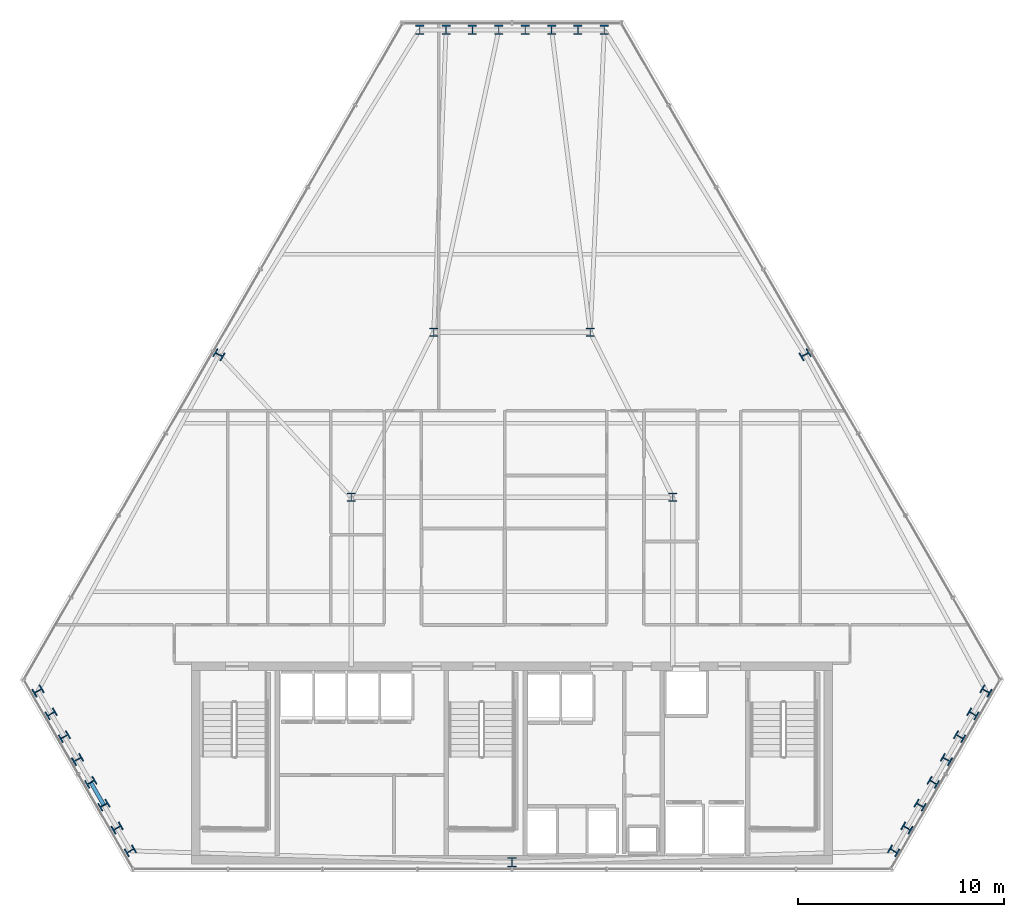
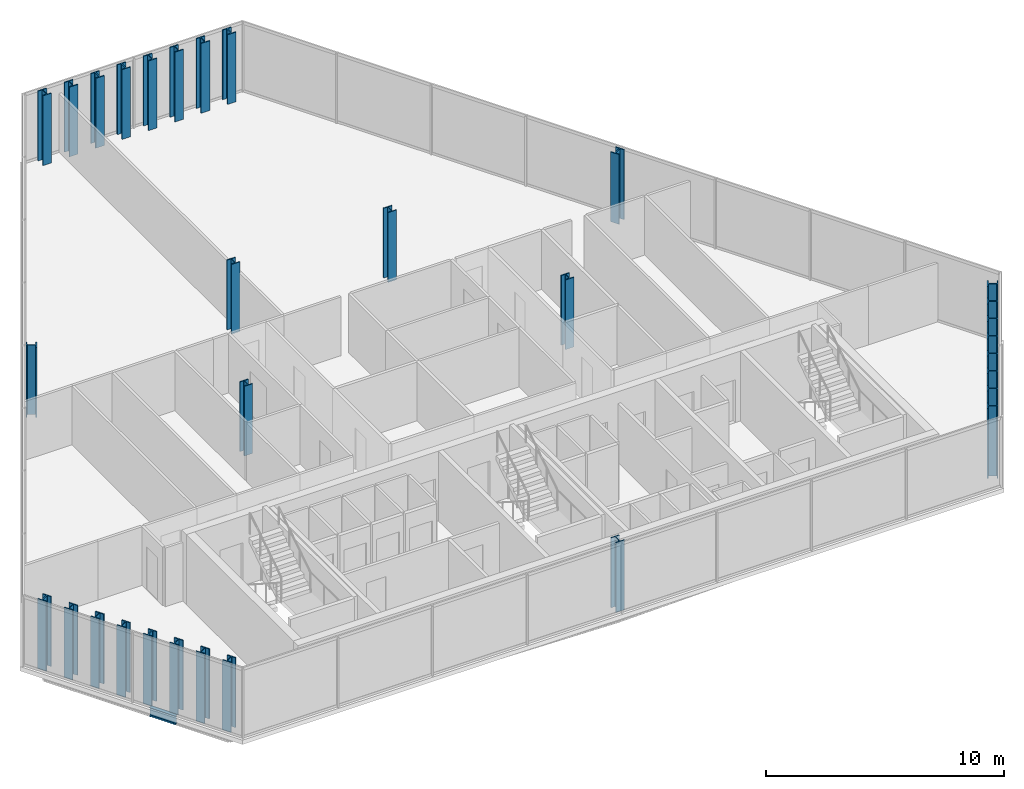
# One storey, part 1 of 33: 31 columns, 1 beam.
"""IFC4 building model written with IfcOpenShell, lengths in metres."""

from ifc_helpers import new_model, si_unit, direction, frame, origin, origin_2d, place, context, subcontext, project, spatial, i_section, extrude, material, material_profile, profile_set, type_object, element, save


model = new_model("IFC4")

# Units and contexts
model_context = context("Model", 3, precision=1e-05, world=origin(), true_north=direction((0.0, 1.0)))
body_context = subcontext(model_context, "Body", "Model", "MODEL_VIEW")
ifc_project = project(units=[si_unit("LENGTHUNIT", "METRE"), si_unit("AREAUNIT", "SQUARE_METRE"), si_unit("VOLUMEUNIT", "CUBIC_METRE"), si_unit("PLANEANGLEUNIT", "RADIAN"), si_unit("MASSUNIT", "GRAM", prefix="KILO")], contexts=[model_context])

# Site, building, storey
site_placement = place(None, origin())
site = spatial("IfcSite", under=ifc_project, at=site_placement, CompositionType="ELEMENT")
building_placement = place(site_placement, origin())
building = spatial("IfcBuilding", under=site, at=building_placement, Name="Ndaravel Arena Tower", CompositionType="ELEMENT")
storey_placement = place(building_placement, frame((0.0, 0.0, 165.0)))
storey = spatial("IfcBuildingStorey", under=building, at=storey_placement, Name="L39", CompositionType="ELEMENT", Elevation=165.0)

# Columns
ifc_material_1 = material(Name="Steel S355", Category="steel")
ifc_material_profile_1 = material_profile(ifc_material_1, i_section(OverallWidth=0.406982421875, OverallDepth=0.4189453125, WebThickness=0.030517578125, FlangeThickness=0.04931640625, FilletRadius=0.01513671875, at=origin_2d()), Name="UC 356x406x393")
ifc_profile_set_1 = profile_set([ifc_material_profile_1], Name="Steel S355")
column_type_1 = type_object("IfcColumnType", Name="COL-INT-UC393", PredefinedType="COLUMN", material=ifc_profile_set_1)
for number, where, z_axis, x_axis, name in (
    (1, (34.199951171875, 23.199951171875, 0.0), (0.0, 0.0, 1.0), (1.0, 0.0, 0.0), "L39 Interior Spine Column IC-01"),
    (2, (49.800048828125, 23.199951171875, 0.0), (0.0, 0.0, 1.0), (1.0, 0.0, 0.0), "L39 Interior Spine Column IC-02"),
    (3, (38.199951171875, 31.199951171875, 0.0), (0.0, 0.0, 1.0), (1.0, 0.0, 0.0), "L39 Interior Spine Column IC-03"),
    (4, (45.800048828125, 31.199951171875, 0.0), (0.0, 0.0, 1.0), (1.0, 0.0, 0.0), "L39 Interior Spine Column IC-04"),
):
    element("IfcColumn", number, at=place(storey_placement, frame(where, z_axis=z_axis, x_axis=x_axis)), inside=storey, type_object=column_type_1, Name=name, PredefinedType="COLUMN", context=body_context, shape_type="SweptSolid", body=[
        extrude(i_section(OverallWidth=0.406982421875, OverallDepth=0.4189453125, WebThickness=0.030517578125, FlangeThickness=0.04931640625, FilletRadius=0.01513671875, at=origin_2d()), origin(), (0.0, 0.0, 1.0), 3.580078125),
    ])
ifc_material_2 = material(Name="Steel S355", Category="steel")
ifc_material_profile_2 = material_profile(ifc_material_2, i_section(OverallWidth=0.41796875, OverallDepth=0.455078125, WebThickness=0.0419921875, FlangeThickness=0.052001953125, FilletRadius=0.014892578125, at=origin_2d()), Name="HD 400x551")
ifc_profile_set_2 = profile_set([ifc_material_profile_2], Name="Steel S355")
column_type_2 = type_object("IfcColumnType", Name="COL-TUBE-HD551", PredefinedType="COLUMN", material=ifc_profile_set_2)
for number, where, z_axis, x_axis, name in (
    (5, (42.0, 5.47998046875, 0.0), (0.0, 0.0, 1.0), (1.0, 0.0, 0.0), "L39 Framed Tube Column TC-01"),
    (6, (60.52587890625, 6.0341796875, 0.0), (0.0, 0.0, 1.0), (0.5, 0.866025403784, 0.0), "L39 Framed Tube Column TC-02"),
    (7, (61.165771484375, 7.142822265625, 0.0), (0.0, 0.0, 1.0), (0.5, 0.866025403784, 0.0), "L39 Framed Tube Column TC-03"),
    (8, (61.805908203125, 8.25146484375, 0.0), (0.0, 0.0, 1.0), (0.5, 0.866025403784, 0.0), "L39 Framed Tube Column TC-04"),
    (9, (62.44580078125, 9.35986328125, 0.0), (0.0, 0.0, 1.0), (0.5, 0.866025403784, 0.0), "L39 Framed Tube Column TC-05"),
    (10, (63.0859375, 10.468505859375, 0.0), (0.0, 0.0, 1.0), (0.5, 0.866025403784, 0.0), "L39 Framed Tube Column TC-06"),
    (11, (63.725830078125, 11.576904296875, 0.0), (0.0, 0.0, 1.0), (0.5, 0.866025403784, 0.0), "L39 Framed Tube Column TC-07"),
    (12, (64.365966796875, 12.685546875, 0.0), (0.0, 0.0, 1.0), (0.5, 0.866025403784, 0.0), "L39 Framed Tube Column TC-08"),
    (13, (65.005859375, 13.794189453125, 0.0), (0.0, 0.0, 1.0), (0.5, 0.866025403784, 0.0), "L39 Framed Tube Column TC-09"),
    (14, (56.22314453125, 30.114990234375, 0.0), (0.0, 0.0, 1.0), (-0.5, 0.866025403784, 0.0), "L39 Framed Tube Column TC-10"),
    (15, (46.480224609375, 45.881591796875, 0.0), (0.0, 0.0, 1.0), (1.0, 0.0, 0.0), "L39 Framed Tube Column TC-11"),
    (16, (45.2001953125, 45.881591796875, 0.0), (0.0, 0.0, 1.0), (1.0, 0.0, 0.0), "L39 Framed Tube Column TC-12"),
    (17, (43.920166015625, 45.881591796875, 0.0), (0.0, 0.0, 1.0), (1.0, 0.0, 0.0), "L39 Framed Tube Column TC-13"),
    (18, (42.639892578125, 45.881591796875, 0.0), (0.0, 0.0, 1.0), (1.0, 0.0, 0.0), "L39 Framed Tube Column TC-14"),
    (19, (41.360107421875, 45.881591796875, 0.0), (0.0, 0.0, 1.0), (1.0, 0.0, 0.0), "L39 Framed Tube Column TC-15"),
    (20, (40.079833984375, 45.881591796875, 0.0), (0.0, 0.0, 1.0), (1.0, 0.0, 0.0), "L39 Framed Tube Column TC-16"),
    (21, (38.7998046875, 45.881591796875, 0.0), (0.0, 0.0, 1.0), (1.0, 0.0, 0.0), "L39 Framed Tube Column TC-17"),
    (22, (37.519775390625, 45.881591796875, 0.0), (0.0, 0.0, 1.0), (1.0, 0.0, 0.0), "L39 Framed Tube Column TC-18"),
    (23, (27.77685546875, 30.114990234375, 0.0), (0.0, 0.0, 1.0), (0.5, 0.866025403784, 0.0), "L39 Framed Tube Column TC-19"),
    (24, (18.994140625, 13.794189453125, 0.0), (0.0, 0.0, 1.0), (-0.5, 0.866025403784, 0.0), "L39 Framed Tube Column TC-20"),
    (25, (19.634033203125, 12.685546875, 0.0), (0.0, 0.0, 1.0), (-0.5, 0.866025403784, 0.0), "L39 Framed Tube Column TC-21"),
    (26, (20.274169921875, 11.576904296875, 0.0), (0.0, 0.0, 1.0), (-0.5, 0.866025403784, 0.0), "L39 Framed Tube Column TC-22"),
    (27, (20.9140625, 10.468505859375, 0.0), (0.0, 0.0, 1.0), (-0.5, 0.866025403784, 0.0), "L39 Framed Tube Column TC-23"),
    (28, (21.55419921875, 9.35986328125, 0.0), (0.0, 0.0, 1.0), (-0.5, 0.866025403784, 0.0), "L39 Framed Tube Column TC-24"),
    (29, (22.194091796875, 8.25146484375, 0.0), (0.0, 0.0, 1.0), (-0.5, 0.866025403784, 0.0), "L39 Framed Tube Column TC-25"),
    (30, (22.834228515625, 7.142822265625, 0.0), (0.0, 0.0, 1.0), (-0.5, 0.866025403784, 0.0), "L39 Framed Tube Column TC-26"),
    (31, (23.47412109375, 6.0341796875, 0.0), (0.0, 0.0, 1.0), (-0.5, 0.866025403784, 0.0), "L39 Framed Tube Column TC-27"),
):
    element("IfcColumn", number, at=place(storey_placement, frame(where, z_axis=z_axis, x_axis=x_axis)), inside=storey, type_object=column_type_2, Name=name, PredefinedType="COLUMN", context=body_context, shape_type="SweptSolid", body=[
        extrude(i_section(OverallWidth=0.41796875, OverallDepth=0.455078125, WebThickness=0.0419921875, FlangeThickness=0.052001953125, FilletRadius=0.014892578125, at=origin_2d()), origin(), (0.0, 0.0, 1.0), 3.580078125),
    ])

# Beam
ifc_material_3 = material(Name="Steel S355", Category="steel")
ifc_material_profile_3 = material_profile(ifc_material_3, i_section(OverallWidth=0.18994140625, OverallDepth=0.449951171875, WebThickness=0.009521484375, FlangeThickness=0.0146484375, FilletRadius=0.02099609375, at=origin_2d()), Name="IPE 450")
ifc_profile_set_3 = profile_set([ifc_material_profile_3], Name="Steel S355")
beam_type = type_object("IfcBeamType", Name="BM-SPAN-IPE450", PredefinedType="SPANDREL", material=ifc_profile_set_3)
beam_placement = place(storey_placement, frame((21.55419921875, 9.35986328125, -0.445068359375), z_axis=(0.499975646431, -0.866039463868, 0.0), x_axis=(0.866039463868, 0.499975646431, 0.0)))
element("IfcBeam", 32, at=beam_placement, inside=storey, type_object=beam_type, Name="L39 Perimeter Spandrel Beam SP-24", PredefinedType="SPANDREL", context=body_context, shape_type="SweptSolid", body=[
    extrude(i_section(OverallWidth=0.18994140625, OverallDepth=0.449951171875, WebThickness=0.009521484375, FlangeThickness=0.0146484375, FilletRadius=0.02099609375, at=origin_2d()), origin(), (0.0, 0.0, 1.0), 1.27978515625),
])

save(model, "model.ifc")
